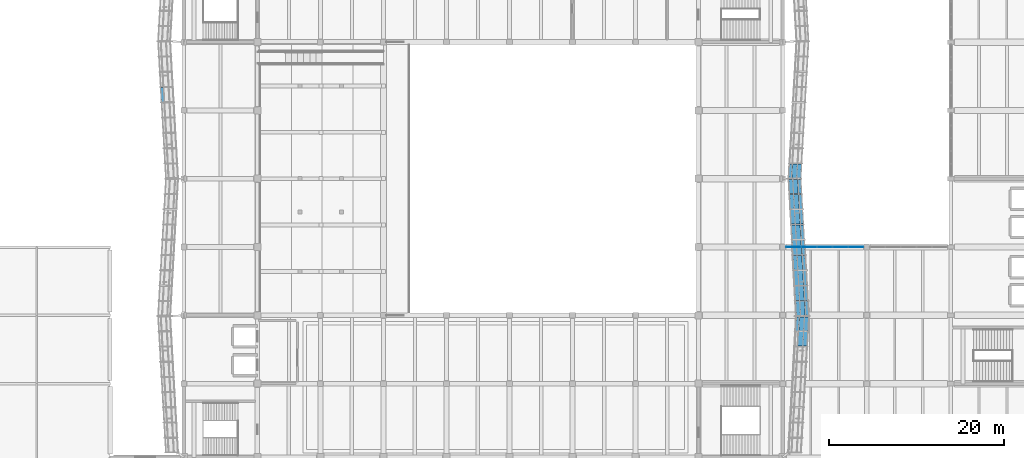
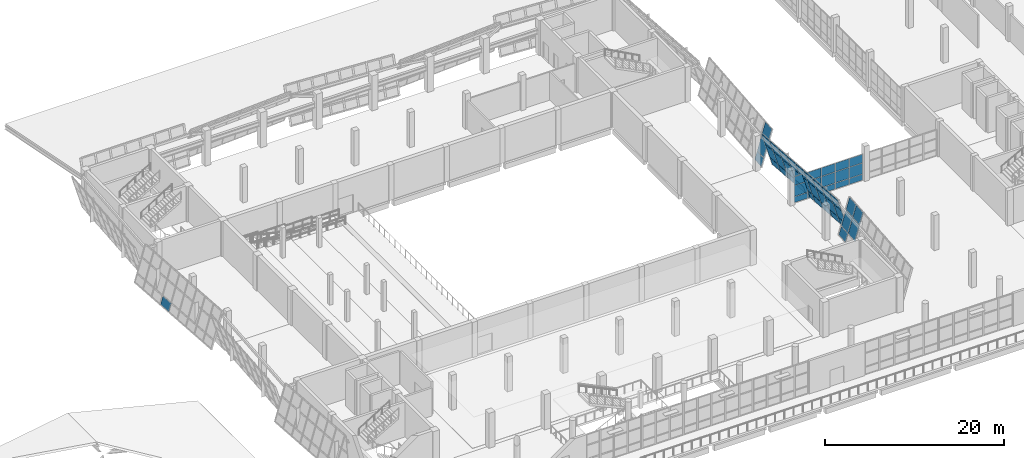
# One storey, part 52 of 79: 51 plates, 5 elements without a shape of their own.
"""IFC4 building model written with IfcOpenShell, lengths in metres."""

from ifc_helpers import new_model, si_unit, direction, frame, origin, place, context, subcontext, project, spatial, polyline, outline, extrude, material, layer, layer_set, type_object, element, aggregate, save


model = new_model("IFC4")

# Units and contexts
model_context = context("Model", 3, precision=1e-05, world=origin(), true_north=direction((0.0, 1.0)))
body_context = subcontext(model_context, "Body", "Model", "MODEL_VIEW")
ifc_project = project(units=[si_unit("LENGTHUNIT", "METRE"), si_unit("AREAUNIT", "SQUARE_METRE"), si_unit("VOLUMEUNIT", "CUBIC_METRE"), si_unit("PLANEANGLEUNIT", "RADIAN"), si_unit("MASSUNIT", "GRAM", prefix="KILO")], contexts=[model_context])

# Site, building, storey
site_placement = place(None, origin())
site = spatial("IfcSite", under=ifc_project, at=site_placement, CompositionType="ELEMENT")
building_placement = place(site_placement, origin())
building = spatial("IfcBuilding", under=site, at=building_placement, Name="Pellamere Symphony Hall", CompositionType="ELEMENT")
storey_placement = place(building_placement, frame((0.0, 0.0, 10.199951171875)))
storey = spatial("IfcBuildingStorey", under=building, at=storey_placement, Name="L02", CompositionType="ELEMENT", Elevation=10.199951171875)

# Curtain wall, plates
ifc_material_1 = material(Name="Thermally Broken Anodised Aluminium 6063-T6 Curtain Wall", Category="aluminium")
curtain_wall_type_1 = type_object("IfcCurtainWallType", Name="Curtain Wall CW-01 (Tilted Faceted Crystal Low-Iron Curtain Wall)", PredefinedType="NOTDEFINED", material=ifc_material_1)
curtain_wall_1_placement = place(storey_placement, origin())
curtain_wall_1 = element("IfcCurtainWall", 1, at=curtain_wall_1_placement, inside=storey, type_object=curtain_wall_type_1, Name="Crystal Faceted Curtain Wall CW-CR06 (L02)", PredefinedType="NOTDEFINED")
ifc_material_2 = material(Name="Pre-Weathered Quartz-Zinc Faceted Cladding Cassette", Category="aluminium")
ifc_layer_1 = layer(ifc_material_2, 0.0400390625, Name="Pre-Weathered Quartz-Zinc Faceted Cladding Cassette")
ifc_layer_set_1 = layer_set([ifc_layer_1], Name="Pre-Weathered Quartz-Zinc Faceted Cladding Cassette")
plate_type_1 = type_object("IfcPlateType", Name="Facade Panel CL-01 40mm", PredefinedType="CURTAIN_PANEL", material=ifc_layer_set_1)
plate_1_placement = place(storey_placement, frame((120.504150390625, 42.670654296875, 1.18798828125), z_axis=(-0.957367671454, 0.055167713184, 0.283555400367), x_axis=(0.057523051273, 0.998344178214, -1.9945417e-05)))
plate_1 = element("IfcPlate", 2, at=plate_1_placement, type_object=plate_type_1, Name="CW1-006 crystal glass panel 8.2", PredefinedType="CURTAIN_PANEL", context=body_context, shape_type="SweptSolid", body=[
    extrude(outline(polyline([(0.0, 0.0), (1.661436000936481, -3.469446951953614e-18), (1.6945263458089563, -2.0273358590321204), (0.03307630115878545, -2.0272667459990394), (0.0, 0.0)])), origin(), (0.0, 0.0, -1.0), 0.0400390625),
])
plate_2_placement = place(storey_placement, frame((121.101318359375, 42.670654296875, 3.2041015625), z_axis=(-0.957337280227, 0.055165961909, 0.283658330628), x_axis=(0.057523046998, 0.998344178461, -1.9952024e-05)))
plate_2 = element("IfcPlate", 3, at=plate_2_placement, type_object=plate_type_1, Name="CW1-006 crystal glass panel 8.3", PredefinedType="CURTAIN_PANEL", context=body_context, shape_type="SweptSolid", body=[
    extrude(outline(polyline([(0.0, 0.0), (1.6614360009367422, 3.469446951953614e-18), (1.6873864639282778, -1.5892366857444136), (0.025936419278889535, -1.5891675476233866), (0.0, 0.0)])), origin(), (0.0, 0.0, -1.0), 0.0400390625),
])
plate_3_placement = place(storey_placement, frame((120.2734375, 44.404052734375, 0.072021484375), z_axis=(-0.957350958392, 0.055220695341, 0.283601511406), x_axis=(0.057585007883, 0.99834060664, 0.0)))
plate_3 = element("IfcPlate", 4, at=plate_3_placement, type_object=plate_type_1, Name="CW1-006 crystal glass panel 9.1", PredefinedType="CURTAIN_PANEL", context=body_context, shape_type="SweptSolid", body=[
    extrude(outline(polyline([(0.0, 0.0), (1.6237882534451713, 6.938893903907228e-18), (1.6416008034910186, -1.0888971520236395), (0.017812550045847142, -1.0888971520236395), (0.0, 0.0)])), origin(), (0.0, 0.0, -1.0), 0.0400390625),
])
plate_4_placement = place(storey_placement, frame((120.60400390625, 44.404052734375, 1.18798828125), z_axis=(-0.957348500878, 0.05522055359, 0.283609834682), x_axis=(0.057585007883, 0.99834060664, 0.0)))
plate_4 = element("IfcPlate", 5, at=plate_4_placement, type_object=plate_type_1, Name="CW1-006 crystal glass panel 9.2", PredefinedType="CURTAIN_PANEL", context=body_context, shape_type="SweptSolid", body=[
    extrude(outline(polyline([(0.0, 0.0), (1.6237882534451713, 0.0), (1.6569530565692072, -2.0273346457190367), (0.03316480312403584, -2.0273346457190367), (0.0, 0.0)])), origin(), (0.0, 0.0, -1.0), 0.0400390625),
])
plate_5_placement = place(storey_placement, frame((121.201171875, 44.404052734375, 3.2041015625), z_axis=(-0.95735525195, 0.055220942996, 0.283586969057), x_axis=(0.057585007883, 0.99834060664, 0.0)))
plate_5 = element("IfcPlate", 6, at=plate_5_placement, type_object=plate_type_1, Name="CW1-006 crystal glass panel 9.3", PredefinedType="CURTAIN_PANEL", context=body_context, shape_type="SweptSolid", body=[
    extrude(outline(polyline([(0.0, 0.0), (1.6237882534451713, 0.0), (1.6497830482634597, -1.5891665981147254), (0.02599479481828837, -1.5891665981147254), (0.0, 0.0)])), origin(), (0.0, 0.0, -1.0), 0.0400390625),
])
aggregate(curtain_wall_1, [plate_1, plate_2, plate_3, plate_4, plate_5])

curtain_wall_type_2 = type_object("IfcCurtainWallType", Name="Curtain Wall CW-03 (Sculpture Court Glazed Link Curtain Wall)", PredefinedType="NOTDEFINED", material=ifc_material_1)
curtain_wall_2_placement = place(storey_placement, origin())
curtain_wall_2 = element("IfcCurtainWall", 7, at=curtain_wall_2_placement, inside=storey, type_object=curtain_wall_type_2, Name="Sculpture Court Link Curtain Wall (L02 Bay 1)", PredefinedType="NOTDEFINED")
ifc_material_3 = material(Name="Triple Low-E Argon Acoustic Glazing 36mm", Category="glass")
ifc_layer_2 = layer(ifc_material_3, 0.035888671875, Name="Triple Low-E Argon Acoustic Glazing 36mm")
ifc_layer_set_2 = layer_set([ifc_layer_2], Name="Triple Low-E Argon Acoustic Glazing 36mm")
plate_type_2 = type_object("IfcPlateType", Name="Facade Panel GL-01 36mm", PredefinedType="CURTAIN_PANEL", material=ifc_layer_set_2)
plate_6_placement = place(storey_placement, frame((119.18505859375, 54.0, 0.06005859375), z_axis=(0.0, -1.0, 0.0), x_axis=(1.0, 0.0, 0.0)))
plate_6 = element("IfcPlate", 8, at=plate_6_placement, type_object=plate_type_2, Name="CW3-105 crystal glass panel 1.1", PredefinedType="CURTAIN_PANEL", context=body_context, shape_type="SweptSolid", body=[
    extrude(outline(polyline([(0.0, 0.0), (1.699951171875, 0.0), (1.699951171875, 0.78369140625), (0.0, 0.78369140625), (0.0, 0.0)])), origin(), (0.0, 0.0, -1.0), 0.035888671875),
])
plate_7_placement = place(storey_placement, frame((119.18505859375, 54.0, 0.903564453125), z_axis=(0.0, -1.0, 0.0), x_axis=(1.0, 0.0, 0.0)))
plate_7 = element("IfcPlate", 9, at=plate_7_placement, type_object=plate_type_2, Name="CW3-105 crystal glass panel 1.2", PredefinedType="CURTAIN_PANEL", context=body_context, shape_type="SweptSolid", body=[
    extrude(outline(polyline([(0.0, 0.0), (1.699951171875, 0.0), (1.699951171875, 1.468994140625), (0.0, 1.468994140625), (0.0, 0.0)])), origin(), (0.0, 0.0, -1.0), 0.035888671875),
])
plate_8_placement = place(storey_placement, frame((119.18505859375, 54.0, 2.432373046875), z_axis=(0.0, -1.0, 0.0), x_axis=(1.0, 0.0, 0.0)))
plate_8 = element("IfcPlate", 10, at=plate_8_placement, type_object=plate_type_2, Name="CW3-105 crystal glass panel 1.3", PredefinedType="CURTAIN_PANEL", context=body_context, shape_type="SweptSolid", body=[
    extrude(outline(polyline([(0.0, 0.0), (1.699951171875, 0.0), (1.699951171875, 1.147705078125), (0.0, 1.147705078125), (0.0, 0.0)])), origin(), (0.0, 0.0, -1.0), 0.035888671875),
])
plate_9_placement = place(storey_placement, frame((120.945068359375, 54.0, 0.06005859375), z_axis=(0.0, -1.0, 0.0), x_axis=(1.0, 0.0, 0.0)))
plate_9 = element("IfcPlate", 11, at=plate_9_placement, type_object=plate_type_2, Name="CW3-105 crystal glass panel 2.1", PredefinedType="CURTAIN_PANEL", context=body_context, shape_type="SweptSolid", body=[
    extrude(outline(polyline([(0.0, 0.0), (1.72998046875, 0.0), (1.72998046875, 0.78369140625), (0.0, 0.78369140625), (0.0, 0.0)])), origin(), (0.0, 0.0, -1.0), 0.035888671875),
])
plate_10_placement = place(storey_placement, frame((120.945068359375, 54.0, 0.903564453125), z_axis=(0.0, -1.0, 0.0), x_axis=(1.0, 0.0, 0.0)))
plate_10 = element("IfcPlate", 12, at=plate_10_placement, type_object=plate_type_2, Name="CW3-105 crystal glass panel 2.2", PredefinedType="CURTAIN_PANEL", context=body_context, shape_type="SweptSolid", body=[
    extrude(outline(polyline([(0.0, 0.0), (1.72998046875, 0.0), (1.72998046875, 1.468994140625), (0.0, 1.468994140625), (0.0, 0.0)])), origin(), (0.0, 0.0, -1.0), 0.035888671875),
])
plate_11_placement = place(storey_placement, frame((120.945068359375, 54.0, 2.432373046875), z_axis=(0.0, -1.0, 0.0), x_axis=(1.0, 0.0, 0.0)))
plate_11 = element("IfcPlate", 13, at=plate_11_placement, type_object=plate_type_2, Name="CW3-105 crystal glass panel 2.3", PredefinedType="CURTAIN_PANEL", context=body_context, shape_type="SweptSolid", body=[
    extrude(outline(polyline([(0.0, 0.0), (1.72998046875, 0.0), (1.72998046875, 1.147705078125), (0.0, 1.147705078125), (0.0, 0.0)])), origin(), (0.0, 0.0, -1.0), 0.035888671875),
])
plate_12_placement = place(storey_placement, frame((122.735107421875, 54.0, 0.06005859375), z_axis=(0.0, -1.0, 0.0), x_axis=(1.0, 0.0, 0.0)))
plate_12 = element("IfcPlate", 14, at=plate_12_placement, type_object=plate_type_2, Name="CW3-105 crystal glass panel 3.1", PredefinedType="CURTAIN_PANEL", context=body_context, shape_type="SweptSolid", body=[
    extrude(outline(polyline([(0.0, 0.0), (1.72998046875, 0.0), (1.72998046875, 0.78369140625), (0.0, 0.78369140625), (0.0, 0.0)])), origin(), (0.0, 0.0, -1.0), 0.035888671875),
])
plate_13_placement = place(storey_placement, frame((122.735107421875, 54.0, 0.903564453125), z_axis=(0.0, -1.0, 0.0), x_axis=(1.0, 0.0, 0.0)))
plate_13 = element("IfcPlate", 15, at=plate_13_placement, type_object=plate_type_2, Name="CW3-105 crystal glass panel 3.2", PredefinedType="CURTAIN_PANEL", context=body_context, shape_type="SweptSolid", body=[
    extrude(outline(polyline([(0.0, 0.0), (1.72998046875, 0.0), (1.72998046875, 1.468994140625), (0.0, 1.468994140625), (0.0, 0.0)])), origin(), (0.0, 0.0, -1.0), 0.035888671875),
])
plate_14_placement = place(storey_placement, frame((122.735107421875, 54.0, 2.432373046875), z_axis=(0.0, -1.0, 0.0), x_axis=(1.0, 0.0, 0.0)))
plate_14 = element("IfcPlate", 16, at=plate_14_placement, type_object=plate_type_2, Name="CW3-105 crystal glass panel 3.3", PredefinedType="CURTAIN_PANEL", context=body_context, shape_type="SweptSolid", body=[
    extrude(outline(polyline([(0.0, 0.0), (1.72998046875, 0.0), (1.72998046875, 1.147705078125), (0.0, 1.147705078125), (0.0, 0.0)])), origin(), (0.0, 0.0, -1.0), 0.035888671875),
])
plate_15_placement = place(storey_placement, frame((124.52490234375, 54.0, 0.06005859375), z_axis=(0.0, -1.0, 0.0), x_axis=(1.0, 0.0, 0.0)))
plate_15 = element("IfcPlate", 17, at=plate_15_placement, type_object=plate_type_2, Name="CW3-105 crystal glass panel 4.1", PredefinedType="CURTAIN_PANEL", context=body_context, shape_type="SweptSolid", body=[
    extrude(outline(polyline([(0.0, 0.0), (1.72998046875, 0.0), (1.72998046875, 0.78369140625), (0.0, 0.78369140625), (0.0, 0.0)])), origin(), (0.0, 0.0, -1.0), 0.035888671875),
])
plate_16_placement = place(storey_placement, frame((124.52490234375, 54.0, 0.903564453125), z_axis=(0.0, -1.0, 0.0), x_axis=(1.0, 0.0, 0.0)))
plate_16 = element("IfcPlate", 18, at=plate_16_placement, type_object=plate_type_2, Name="CW3-105 crystal glass panel 4.2", PredefinedType="CURTAIN_PANEL", context=body_context, shape_type="SweptSolid", body=[
    extrude(outline(polyline([(0.0, 0.0), (1.72998046875, 0.0), (1.72998046875, 1.468994140625), (0.0, 1.468994140625), (0.0, 0.0)])), origin(), (0.0, 0.0, -1.0), 0.035888671875),
])
plate_17_placement = place(storey_placement, frame((124.52490234375, 54.0, 2.432373046875), z_axis=(0.0, -1.0, 0.0), x_axis=(1.0, 0.0, 0.0)))
plate_17 = element("IfcPlate", 19, at=plate_17_placement, type_object=plate_type_2, Name="CW3-105 crystal glass panel 4.3", PredefinedType="CURTAIN_PANEL", context=body_context, shape_type="SweptSolid", body=[
    extrude(outline(polyline([(0.0, 0.0), (1.72998046875, 0.0), (1.72998046875, 1.147705078125), (0.0, 1.147705078125), (0.0, 0.0)])), origin(), (0.0, 0.0, -1.0), 0.035888671875),
])
plate_18_placement = place(storey_placement, frame((126.31494140625, 54.0, 0.06005859375), z_axis=(0.0, -1.0, 0.0), x_axis=(1.0, 0.0, 0.0)))
plate_18 = element("IfcPlate", 20, at=plate_18_placement, type_object=plate_type_2, Name="CW3-105 crystal glass panel 5.1", PredefinedType="CURTAIN_PANEL", context=body_context, shape_type="SweptSolid", body=[
    extrude(outline(polyline([(0.0, 0.0), (1.699951171875, 0.0), (1.699951171875, 0.78369140625), (0.0, 0.78369140625), (0.0, 0.0)])), origin(), (0.0, 0.0, -1.0), 0.035888671875),
])
plate_19_placement = place(storey_placement, frame((126.31494140625, 54.0, 0.903564453125), z_axis=(0.0, -1.0, 0.0), x_axis=(1.0, 0.0, 0.0)))
plate_19 = element("IfcPlate", 21, at=plate_19_placement, type_object=plate_type_2, Name="CW3-105 crystal glass panel 5.2", PredefinedType="CURTAIN_PANEL", context=body_context, shape_type="SweptSolid", body=[
    extrude(outline(polyline([(0.0, 0.0), (1.699951171875, 0.0), (1.699951171875, 1.468994140625), (0.0, 1.468994140625), (0.0, 0.0)])), origin(), (0.0, 0.0, -1.0), 0.035888671875),
])
plate_20_placement = place(storey_placement, frame((126.31494140625, 54.0, 2.432373046875), z_axis=(0.0, -1.0, 0.0), x_axis=(1.0, 0.0, 0.0)))
plate_20 = element("IfcPlate", 22, at=plate_20_placement, type_object=plate_type_2, Name="CW3-105 crystal glass panel 5.3", PredefinedType="CURTAIN_PANEL", context=body_context, shape_type="SweptSolid", body=[
    extrude(outline(polyline([(0.0, 0.0), (1.699951171875, 0.0), (1.699951171875, 1.147705078125), (0.0, 1.147705078125), (0.0, 0.0)])), origin(), (0.0, 0.0, -1.0), 0.035888671875),
])
aggregate(curtain_wall_2, [plate_6, plate_7, plate_8, plate_9, plate_10, plate_11, plate_12, plate_13, plate_14, plate_15, plate_16, plate_17, plate_18, plate_19, plate_20])

curtain_wall_3_placement = place(storey_placement, origin())
curtain_wall_3 = element("IfcCurtainWall", 23, at=curtain_wall_3_placement, inside=storey, type_object=curtain_wall_type_1, Name="Crystal Faceted Curtain Wall CW-CR08 (L02)", PredefinedType="NOTDEFINED")
ifc_material_4 = material(Name="Triple Laminated Acoustic Crystal Glazing 42mm", Category="glass")
ifc_layer_3 = layer(ifc_material_4, 0.0419921875, Name="Triple Laminated Acoustic Crystal Glazing 42mm")
ifc_layer_set_3 = layer_set([ifc_layer_3], Name="Triple Laminated Acoustic Crystal Glazing 42mm")
plate_type_3 = type_object("IfcPlateType", Name="Facade Panel GL-02 42mm", PredefinedType="CURTAIN_PANEL", material=ifc_layer_set_3)
plate_21_placement = place(storey_placement, frame((119.4755859375, 61.874755859375, 0.072021484375), z_axis=(-0.957370974675, 0.054841920924, 0.283607440943), x_axis=(0.057190120561, 0.998363305671, 0.0)))
plate_21 = element("IfcPlate", 24, at=plate_21_placement, type_object=plate_type_3, Name="CW1-014 crystal glass panel 1.1", PredefinedType="CURTAIN_PANEL", context=body_context, shape_type="SweptSolid", body=[
    extrude(outline(polyline([(0.0, 0.0), (1.6350002143288105, 0.0), (1.652690615391066, -1.088899143325306), (0.017690401062255792, -1.088899143325306), (0.0, 0.0)])), origin(), (0.0, 0.0, -1.0), 0.0419921875),
])
plate_22_placement = place(storey_placement, frame((119.80615234375, 61.874755859375, 1.18798828125), z_axis=(-0.957368517007, 0.05484178014, 0.283615764363), x_axis=(0.057190120561, 0.998363305671, 0.0)))
plate_22 = element("IfcPlate", 25, at=plate_22_placement, type_object=plate_type_3, Name="CW1-014 crystal glass panel 1.2", PredefinedType="CURTAIN_PANEL", context=body_context, shape_type="SweptSolid", body=[
    extrude(outline(polyline([(0.0, 0.0), (1.6350002143288105, 0.0), (1.667937590892237, -2.0273383533895144), (0.03293737656342653, -2.0273383533895144), (0.0, 0.0)])), origin(), (0.0, 0.0, -1.0), 0.0419921875),
])
plate_23_placement = place(storey_placement, frame((120.4033203125, 61.874755859375, 3.2041015625), z_axis=(-0.957375268502, 0.054842166891, 0.283592898344), x_axis=(0.057190120561, 0.998363305671, 0.0)))
plate_23 = element("IfcPlate", 26, at=plate_23_placement, type_object=plate_type_3, Name="CW1-014 crystal glass panel 1.3", PredefinedType="CURTAIN_PANEL", context=body_context, shape_type="SweptSolid", body=[
    extrude(outline(polyline([(0.0, 0.0), (1.6350002143288105, 0.0), (1.6608167506856462, -1.5891695039773792), (0.0258165363568358, -1.5891695039773792), (0.0, 0.0)])), origin(), (0.0, 0.0, -1.0), 0.0419921875),
])
aggregate(curtain_wall_3, [plate_21, plate_22, plate_23])

# Curtain wall, plate
curtain_wall_4_placement = place(storey_placement, origin())
curtain_wall_4 = element("IfcCurtainWall", 27, at=curtain_wall_4_placement, inside=storey, type_object=curtain_wall_type_1, Name="Crystal Faceted Curtain Wall CW-CR16 (L02)", PredefinedType="NOTDEFINED")
plate_24_placement = place(storey_placement, frame((47.751708984375, 72.229248046875, 0.072021484375), z_axis=(-0.95736924277, -0.054874797948, 0.283606927891), x_axis=(0.057224396245, -0.998361341637, 0.0)))
plate_24 = element("IfcPlate", 28, at=plate_24_placement, type_object=plate_type_3, Name="CW1-044 crystal glass panel 4.1", PredefinedType="CURTAIN_PANEL", context=body_context, shape_type="SweptSolid", body=[
    extrude(outline(polyline([(0.0, 0.0), (1.6724182565382377, -3.469446951953614e-18), (1.6901192599666512, 1.0888989710262178), (0.01770100342841346, 1.0888989710262178), (0.0, 0.0)])), origin(), (0.0, 0.0, -1.0), 0.0419921875),
])
aggregate(curtain_wall_4, [plate_24])

# Curtain wall, plates
curtain_wall_5_placement = place(storey_placement, origin())
curtain_wall_5 = element("IfcCurtainWall", 29, at=curtain_wall_5_placement, inside=storey, type_object=curtain_wall_type_1, Name="Crystal Faceted Curtain Wall CW-CR07 (L02)", PredefinedType="NOTDEFINED")
ifc_material_5 = material(Name="Vacuum-Insulated Bronze-Anodised Aluminium Spandrel Panel", Category="aluminium")
ifc_layer_4 = layer(ifc_material_5, 0.06494140625, Name="Vacuum-Insulated Bronze-Anodised Aluminium Spandrel Panel")
ifc_layer_set_4 = layer_set([ifc_layer_4], Name="Vacuum-Insulated Bronze-Anodised Aluminium Spandrel Panel")
plate_type_4 = type_object("IfcPlateType", Name="Facade Panel SP-01 65mm", PredefinedType="CURTAIN_PANEL", material=ifc_layer_set_4)
plate_25_placement = place(storey_placement, frame((121.74609375, 46.1748046875, 0.072021484375), z_axis=(0.957397164849, 0.054923233017, 0.283503275492), x_axis=(-0.057267092639, 0.998358893229, -2.0267828e-05)))
plate_25 = element("IfcPlate", 30, at=plate_25_placement, type_object=plate_type_4, Name="CW1-009 crystal glass panel 1.1", PredefinedType="CURTAIN_PANEL", context=body_context, shape_type="SweptSolid", body=[
    extrude(outline(polyline([(0.0, 0.0), (1.6347564691694663, 0.0), (1.6524495162577515, 1.0888990940626762), (0.017679065864496333, 1.0888299927126952), (0.0, 0.0)])), origin(), (0.0, 0.0, -1.0), 0.06494140625),
])
plate_26_placement = place(storey_placement, frame((121.41552734375, 46.1748046875, 1.18798828125), z_axis=(0.957380644483, 0.054922285289, 0.283559242749), x_axis=(-0.057267090277, 0.998358893365, -2.0271479e-05)))
plate_26 = element("IfcPlate", 31, at=plate_26_placement, type_object=plate_type_4, Name="CW1-009 crystal glass panel 1.2", PredefinedType="CURTAIN_PANEL", context=body_context, shape_type="SweptSolid", body=[
    extrude(outline(polyline([(0.0, 0.0), (1.6347564691696106, 0.0), (1.667698765110521, 2.0273382700918603), (0.03292831471769825, 2.0272691551003685), (0.0, 0.0)])), origin(), (0.0, 0.0, -1.0), 0.06494140625),
])
plate_27_placement = place(storey_placement, frame((120.818359375, 46.1748046875, 3.2041015625), z_axis=(0.957374837735, 0.054850345976, 0.283592770742), x_axis=(-0.057198647566, 0.998362817175, 0.0)))
plate_27 = element("IfcPlate", 32, at=plate_27_placement, type_object=plate_type_4, Name="CW1-009 crystal glass panel 1.3", PredefinedType="CURTAIN_PANEL", context=body_context, shape_type="SweptSolid", body=[
    extrude(outline(polyline([(0.0, 0.0), (1.6347564733470132, -3.469446951953614e-18), (1.6605768589303367, 1.5891694414408748), (0.025820385583323543, 1.5891694414408748), (0.0, 0.0)])), origin(), (0.0, 0.0, -1.0), 0.06494140625),
])
plate_28_placement = place(storey_placement, frame((121.6484375, 47.8818359375, 0.072021484375), z_axis=(0.95736924277, 0.054874797948, 0.283606927891), x_axis=(-0.057224396245, 0.998361341637, 0.0)))
plate_28 = element("IfcPlate", 33, at=plate_28_placement, type_object=plate_type_4, Name="CW1-009 crystal glass panel 2.1", PredefinedType="CURTAIN_PANEL", context=body_context, shape_type="SweptSolid", body=[
    extrude(outline(polyline([(0.0, 0.0), (1.6724182565382377, -3.469446951953614e-18), (1.6901192599666512, 1.0888989710262178), (0.01770100342841346, 1.0888989710262178), (0.0, 0.0)])), origin(), (0.0, 0.0, -1.0), 0.06494140625),
])
plate_29_placement = place(storey_placement, frame((121.31787109375, 47.8818359375, 1.18798828125), z_axis=(0.957366785115, 0.054874657079, 0.283615251298), x_axis=(-0.057224396245, 0.998361341637, 0.0)))
plate_29 = element("IfcPlate", 34, at=plate_29_placement, type_object=plate_type_4, Name="CW1-009 crystal glass panel 2.2", PredefinedType="CURTAIN_PANEL", context=body_context, shape_type="SweptSolid", body=[
    extrude(outline(polyline([(0.0, 0.0), (1.6724182565382377, 3.469446951953614e-18), (1.7053753734187647, 2.0273380325801393), (0.03295711688052672, 2.0273380325801393), (0.0, 0.0)])), origin(), (0.0, 0.0, -1.0), 0.06494140625),
])
plate_30_placement = place(storey_placement, frame((120.720703125, 47.8818359375, 3.2041015625), z_axis=(0.957331885834, 0.054872656711, 0.283733416981), x_axis=(-0.057224396245, 0.998361341637, 0.0)))
plate_30 = element("IfcPlate", 35, at=plate_30_placement, type_object=plate_type_4, Name="CW1-009 crystal glass panel 2.3", PredefinedType="CURTAIN_PANEL", context=body_context, shape_type="SweptSolid", body=[
    extrude(outline(polyline([(0.0, 0.0), (1.6724182565382377, 0.0), (1.6982642362876972, 1.5892383927004117), (0.025845979749459277, 1.5892383927004117), (0.0, 0.0)])), origin(), (0.0, 0.0, -1.0), 0.06494140625),
])
plate_31_placement = place(storey_placement, frame((121.54833984375, 49.626220703125, 0.072021484375), z_axis=(0.95736924277, 0.054874797948, 0.283606927891), x_axis=(-0.057224396245, 0.998361341637, 0.0)))
plate_31 = element("IfcPlate", 36, at=plate_31_placement, type_object=plate_type_4, Name="CW1-009 crystal glass panel 3.1", PredefinedType="CURTAIN_PANEL", context=body_context, shape_type="SweptSolid", body=[
    extrude(outline(polyline([(0.0, 0.0), (1.6724182565382377, -3.469446951953614e-18), (1.6901192599666512, 1.0888989710262178), (0.01770100342841346, 1.0888989710262178), (0.0, 0.0)])), origin(), (0.0, 0.0, -1.0), 0.06494140625),
])
plate_32_placement = place(storey_placement, frame((121.2177734375, 49.626220703125, 1.18798828125), z_axis=(0.957366785115, 0.054874657079, 0.283615251298), x_axis=(-0.057224396245, 0.998361341637, 0.0)))
plate_32 = element("IfcPlate", 37, at=plate_32_placement, type_object=plate_type_4, Name="CW1-009 crystal glass panel 3.2", PredefinedType="CURTAIN_PANEL", context=body_context, shape_type="SweptSolid", body=[
    extrude(outline(polyline([(0.0, 0.0), (1.6724182565382377, 3.469446951953614e-18), (1.7053753734187647, 2.0273380325801393), (0.03295711688052672, 2.0273380325801393), (0.0, 0.0)])), origin(), (0.0, 0.0, -1.0), 0.06494140625),
])
plate_33_placement = place(storey_placement, frame((120.62060546875, 49.626220703125, 3.2041015625), z_axis=(0.957373536574, 0.054875044062, 0.283592385313), x_axis=(-0.057224396245, 0.998361341637, 0.0)))
plate_33 = element("IfcPlate", 38, at=plate_33_placement, type_object=plate_type_4, Name="CW1-009 crystal glass panel 3.3", PredefinedType="CURTAIN_PANEL", context=body_context, shape_type="SweptSolid", body=[
    extrude(outline(polyline([(0.0, 0.0), (1.6724182565382377, 0.0), (1.6982502654878324, 1.5891692525451158), (0.025832008949594705, 1.5891692525451158), (0.0, 0.0)])), origin(), (0.0, 0.0, -1.0), 0.06494140625),
])
plate_34_placement = place(storey_placement, frame((121.4482421875, 51.370849609375, 0.072021484375), z_axis=(0.95742957948, 0.05488628183, 0.283400946369), x_axis=(-0.057232737422, 0.998360863499, 0.0)))
plate_34 = element("IfcPlate", 39, at=plate_34_placement, type_object=plate_type_4, Name="CW1-009 crystal glass panel 4.1", PredefinedType="CURTAIN_PANEL", context=body_context, shape_type="SweptSolid", body=[
    extrude(outline(polyline([(0.0, 0.0), (1.6721745160346768, 0.0), (1.6898641267710717, 1.0888298277192388), (0.017689610736394717, 1.0888298277192388), (0.0, 0.0)])), origin(), (0.0, 0.0, -1.0), 0.06494140625),
])
plate_35_placement = place(storey_placement, frame((121.11767578125, 51.370849609375, 1.18798828125), z_axis=(0.957399002665, 0.054884528962, 0.283504564647), x_axis=(-0.057232737422, 0.998360863499, 0.0)))
plate_35 = element("IfcPlate", 40, at=plate_35_placement, type_object=plate_type_4, Name="CW1-009 crystal glass panel 4.2", PredefinedType="CURTAIN_PANEL", context=body_context, shape_type="SweptSolid", body=[
    extrude(outline(polyline([(0.0, 0.0), (1.6721745160346768, 0.0), (1.7051224639939333, 2.0272688394771072), (0.03294794795925651, 2.0272688394771072), (0.0, 0.0)])), origin(), (0.0, 0.0, -1.0), 0.06494140625),
])
plate_36_placement = place(storey_placement, frame((120.5205078125, 51.370849609375, 3.2041015625), z_axis=(0.957373114942, 0.054883044905, 0.283592260418), x_axis=(-0.057232737422, 0.998360863499, 0.0)))
plate_36 = element("IfcPlate", 41, at=plate_36_placement, type_object=plate_type_4, Name="CW1-009 crystal glass panel 4.3", PredefinedType="CURTAIN_PANEL", context=body_context, shape_type="SweptSolid", body=[
    extrude(outline(polyline([(0.0, 0.0), (1.6721745160346768, 3.469446951953614e-18), (1.6980102903250354, 1.5891691913348909), (0.025835774290358476, 1.5891691913348909), (0.0, 0.0)])), origin(), (0.0, 0.0, -1.0), 0.06494140625),
])
plate_37_placement = place(storey_placement, frame((121.348388671875, 53.115234375, 0.072021484375), z_axis=(0.957368821144, 0.054882798755, 0.28360680299), x_axis=(-0.057232737422, 0.998360863499, 0.0)))
plate_37 = element("IfcPlate", 42, at=plate_37_placement, type_object=plate_type_4, Name="CW1-009 crystal glass panel 5.1", PredefinedType="CURTAIN_PANEL", context=body_context, shape_type="SweptSolid", body=[
    extrude(outline(polyline([(0.0, 0.0), (1.6721745160346768, 3.469446951953614e-18), (1.6898780996073564, 1.0888989290806625), (0.01770358357267939, 1.0888989290806625), (0.0, 0.0)])), origin(), (0.0, 0.0, -1.0), 0.06494140625),
])
plate_38_placement = place(storey_placement, frame((121.017822265625, 53.115234375, 1.18798828125), z_axis=(0.957366363492, 0.054882657866, 0.283615126394), x_axis=(-0.057232737422, 0.998360863499, 0.0)))
plate_38 = element("IfcPlate", 43, at=plate_38_placement, type_object=plate_type_4, Name="CW1-009 crystal glass panel 5.2", PredefinedType="CURTAIN_PANEL", context=body_context, shape_type="SweptSolid", body=[
    extrude(outline(polyline([(0.0, 0.0), (1.6721745160346768, 0.0), (1.705136436830218, 2.027337954480322), (0.03296192079554119, 2.027337954480322), (0.0, 0.0)])), origin(), (0.0, 0.0, -1.0), 0.06494140625),
])
plate_39_placement = place(storey_placement, frame((120.420654296875, 53.115234375, 3.2041015625), z_axis=(0.957373114942, 0.054883044905, 0.283592260418), x_axis=(-0.057232737422, 0.998360863499, 0.0)))
plate_39 = element("IfcPlate", 44, at=plate_39_placement, type_object=plate_type_4, Name="CW1-009 crystal glass panel 5.3", PredefinedType="CURTAIN_PANEL", context=body_context, shape_type="SweptSolid", body=[
    extrude(outline(polyline([(0.0, 0.0), (1.6721745160346768, 3.469446951953614e-18), (1.6980102903250354, 1.5891691913348909), (0.025835774290358476, 1.5891691913348909), (0.0, 0.0)])), origin(), (0.0, 0.0, -1.0), 0.06494140625),
])
plate_40_placement = place(storey_placement, frame((121.248291015625, 54.859619140625, 0.072021484375), z_axis=(0.95736924277, 0.054874797948, 0.283606927891), x_axis=(-0.057224396245, 0.998361341637, 0.0)))
plate_40 = element("IfcPlate", 45, at=plate_40_placement, type_object=plate_type_4, Name="CW1-009 crystal glass panel 6.1", PredefinedType="CURTAIN_PANEL", context=body_context, shape_type="SweptSolid", body=[
    extrude(outline(polyline([(0.0, 0.0), (1.6724182565382377, -3.469446951953614e-18), (1.6901192599666512, 1.0888989710262178), (0.01770100342841346, 1.0888989710262178), (0.0, 0.0)])), origin(), (0.0, 0.0, -1.0), 0.06494140625),
])
plate_41_placement = place(storey_placement, frame((120.917724609375, 54.859619140625, 1.18798828125), z_axis=(0.957366785115, 0.054874657079, 0.283615251298), x_axis=(-0.057224396245, 0.998361341637, 0.0)))
plate_41 = element("IfcPlate", 46, at=plate_41_placement, type_object=plate_type_4, Name="CW1-009 crystal glass panel 6.2", PredefinedType="CURTAIN_PANEL", context=body_context, shape_type="SweptSolid", body=[
    extrude(outline(polyline([(0.0, 0.0), (1.6724182565382377, 3.469446951953614e-18), (1.7053753734187647, 2.0273380325801393), (0.03295711688052672, 2.0273380325801393), (0.0, 0.0)])), origin(), (0.0, 0.0, -1.0), 0.06494140625),
])
plate_42_placement = place(storey_placement, frame((120.320556640625, 54.859619140625, 3.2041015625), z_axis=(0.957373536574, 0.054875044062, 0.283592385313), x_axis=(-0.057224396245, 0.998361341637, 0.0)))
plate_42 = element("IfcPlate", 47, at=plate_42_placement, type_object=plate_type_4, Name="CW1-009 crystal glass panel 6.3", PredefinedType="CURTAIN_PANEL", context=body_context, shape_type="SweptSolid", body=[
    extrude(outline(polyline([(0.0, 0.0), (1.6724182565382377, 0.0), (1.6982502654878324, 1.5891692525451158), (0.025832008949594705, 1.5891692525451158), (0.0, 0.0)])), origin(), (0.0, 0.0, -1.0), 0.06494140625),
])
plate_43_placement = place(storey_placement, frame((121.1484375, 56.60400390625, 0.072021484375), z_axis=(0.95736924277, 0.054874797948, 0.283606927891), x_axis=(-0.057224396245, 0.998361341637, 0.0)))
plate_43 = element("IfcPlate", 48, at=plate_43_placement, type_object=plate_type_4, Name="CW1-009 crystal glass panel 7.1", PredefinedType="CURTAIN_PANEL", context=body_context, shape_type="SweptSolid", body=[
    extrude(outline(polyline([(0.0, 0.0), (1.6724182565382377, -3.469446951953614e-18), (1.6901192599666512, 1.0888989710262178), (0.01770100342841346, 1.0888989710262178), (0.0, 0.0)])), origin(), (0.0, 0.0, -1.0), 0.06494140625),
])
plate_44_placement = place(storey_placement, frame((120.81787109375, 56.60400390625, 1.18798828125), z_axis=(0.957366785115, 0.054874657079, 0.283615251298), x_axis=(-0.057224396245, 0.998361341637, 0.0)))
plate_44 = element("IfcPlate", 49, at=plate_44_placement, type_object=plate_type_4, Name="CW1-009 crystal glass panel 7.2", PredefinedType="CURTAIN_PANEL", context=body_context, shape_type="SweptSolid", body=[
    extrude(outline(polyline([(0.0, 0.0), (1.6724182565382377, 3.469446951953614e-18), (1.7053753734187647, 2.0273380325801393), (0.03295711688052672, 2.0273380325801393), (0.0, 0.0)])), origin(), (0.0, 0.0, -1.0), 0.06494140625),
])
plate_45_placement = place(storey_placement, frame((120.220703125, 56.60400390625, 3.2041015625), z_axis=(0.957331885834, 0.054872656711, 0.283733416981), x_axis=(-0.057224396245, 0.998361341637, 0.0)))
plate_45 = element("IfcPlate", 50, at=plate_45_placement, type_object=plate_type_4, Name="CW1-009 crystal glass panel 7.3", PredefinedType="CURTAIN_PANEL", context=body_context, shape_type="SweptSolid", body=[
    extrude(outline(polyline([(0.0, 0.0), (1.6724182565382377, 0.0), (1.6982642362876972, 1.5892383927004117), (0.025845979749459277, 1.5892383927004117), (0.0, 0.0)])), origin(), (0.0, 0.0, -1.0), 0.06494140625),
])
plate_46_placement = place(storey_placement, frame((121.04833984375, 58.3486328125, 0.072021484375), z_axis=(0.957368821144, 0.054882798755, 0.28360680299), x_axis=(-0.057232737422, 0.998360863499, 0.0)))
plate_46 = element("IfcPlate", 51, at=plate_46_placement, type_object=plate_type_4, Name="CW1-009 crystal glass panel 8.1", PredefinedType="CURTAIN_PANEL", context=body_context, shape_type="SweptSolid", body=[
    extrude(outline(polyline([(0.0, 0.0), (1.6721745160346768, 3.469446951953614e-18), (1.6898780996073564, 1.0888989290806625), (0.01770358357267939, 1.0888989290806625), (0.0, 0.0)])), origin(), (0.0, 0.0, -1.0), 0.06494140625),
])
plate_47_placement = place(storey_placement, frame((120.7177734375, 58.3486328125, 1.18798828125), z_axis=(0.957366363492, 0.054882657866, 0.283615126394), x_axis=(-0.057232737422, 0.998360863499, 0.0)))
plate_47 = element("IfcPlate", 52, at=plate_47_placement, type_object=plate_type_4, Name="CW1-009 crystal glass panel 8.2", PredefinedType="CURTAIN_PANEL", context=body_context, shape_type="SweptSolid", body=[
    extrude(outline(polyline([(0.0, 0.0), (1.6721745160346768, 0.0), (1.705136436830218, 2.027337954480322), (0.03296192079554119, 2.027337954480322), (0.0, 0.0)])), origin(), (0.0, 0.0, -1.0), 0.06494140625),
])
plate_48_placement = place(storey_placement, frame((120.12060546875, 58.3486328125, 3.2041015625), z_axis=(0.957373114942, 0.054883044905, 0.283592260418), x_axis=(-0.057232737422, 0.998360863499, 0.0)))
plate_48 = element("IfcPlate", 53, at=plate_48_placement, type_object=plate_type_4, Name="CW1-009 crystal glass panel 8.3", PredefinedType="CURTAIN_PANEL", context=body_context, shape_type="SweptSolid", body=[
    extrude(outline(polyline([(0.0, 0.0), (1.6721745160346768, 3.469446951953614e-18), (1.6980102903250354, 1.5891691913348909), (0.025835774290358476, 1.5891691913348909), (0.0, 0.0)])), origin(), (0.0, 0.0, -1.0), 0.06494140625),
])
plate_49_placement = place(storey_placement, frame((120.9482421875, 60.093017578125, 0.072021484375), z_axis=(0.957397164849, 0.054923233017, 0.283503275492), x_axis=(-0.057267092639, 0.998358893229, -2.0267828e-05)))
plate_49 = element("IfcPlate", 54, at=plate_49_placement, type_object=plate_type_4, Name="CW1-009 crystal glass panel 9.1", PredefinedType="CURTAIN_PANEL", context=body_context, shape_type="SweptSolid", body=[
    extrude(outline(polyline([(0.0, 0.0), (1.6347564691694663, 0.0), (1.6524495162577515, 1.0888990940626762), (0.017679065864496333, 1.0888299927126952), (0.0, 0.0)])), origin(), (0.0, 0.0, -1.0), 0.06494140625),
])
plate_50_placement = place(storey_placement, frame((120.61767578125, 60.093017578125, 1.18798828125), z_axis=(0.957380644483, 0.054922285289, 0.283559242749), x_axis=(-0.057267090277, 0.998358893365, -2.0271479e-05)))
plate_50 = element("IfcPlate", 55, at=plate_50_placement, type_object=plate_type_4, Name="CW1-009 crystal glass panel 9.2", PredefinedType="CURTAIN_PANEL", context=body_context, shape_type="SweptSolid", body=[
    extrude(outline(polyline([(0.0, 0.0), (1.6347564691696106, 0.0), (1.667698765110521, 2.0273382700918603), (0.03292831471769825, 2.0272691551003685), (0.0, 0.0)])), origin(), (0.0, 0.0, -1.0), 0.06494140625),
])
plate_51_placement = place(storey_placement, frame((120.0205078125, 60.093017578125, 3.2041015625), z_axis=(0.957374837735, 0.054850345976, 0.283592770742), x_axis=(-0.057198647566, 0.998362817175, 0.0)))
plate_51 = element("IfcPlate", 56, at=plate_51_placement, type_object=plate_type_4, Name="CW1-009 crystal glass panel 9.3", PredefinedType="CURTAIN_PANEL", context=body_context, shape_type="SweptSolid", body=[
    extrude(outline(polyline([(0.0, 0.0), (1.6347564733470132, -3.469446951953614e-18), (1.6605768589303367, 1.5891694414408748), (0.025820385583323543, 1.5891694414408748), (0.0, 0.0)])), origin(), (0.0, 0.0, -1.0), 0.06494140625),
])
aggregate(curtain_wall_5, [plate_25, plate_26, plate_27, plate_28, plate_29, plate_30, plate_31, plate_32, plate_33, plate_34, plate_35, plate_36, plate_37, plate_38, plate_39, plate_40, plate_41, plate_42, plate_43, plate_44, plate_45, plate_46, plate_47, plate_48, plate_49, plate_50, plate_51])

save(model, "model.ifc")
